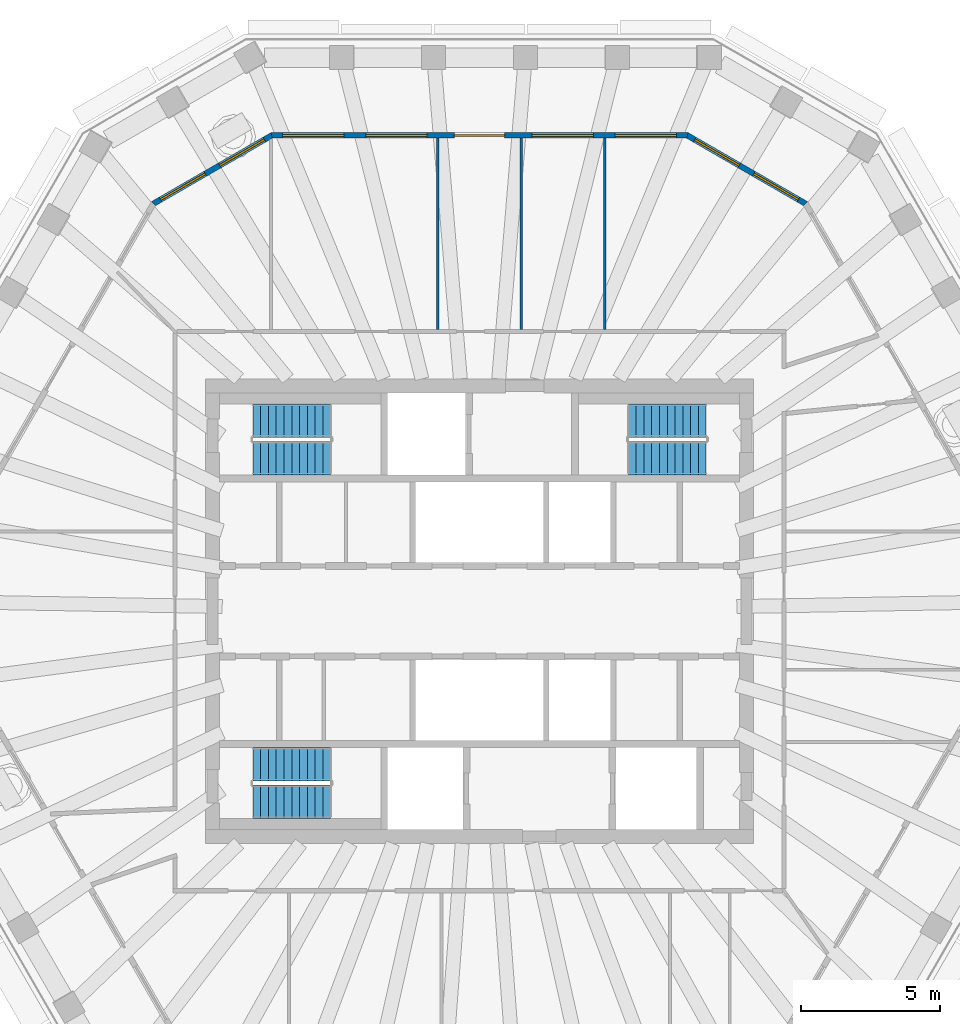
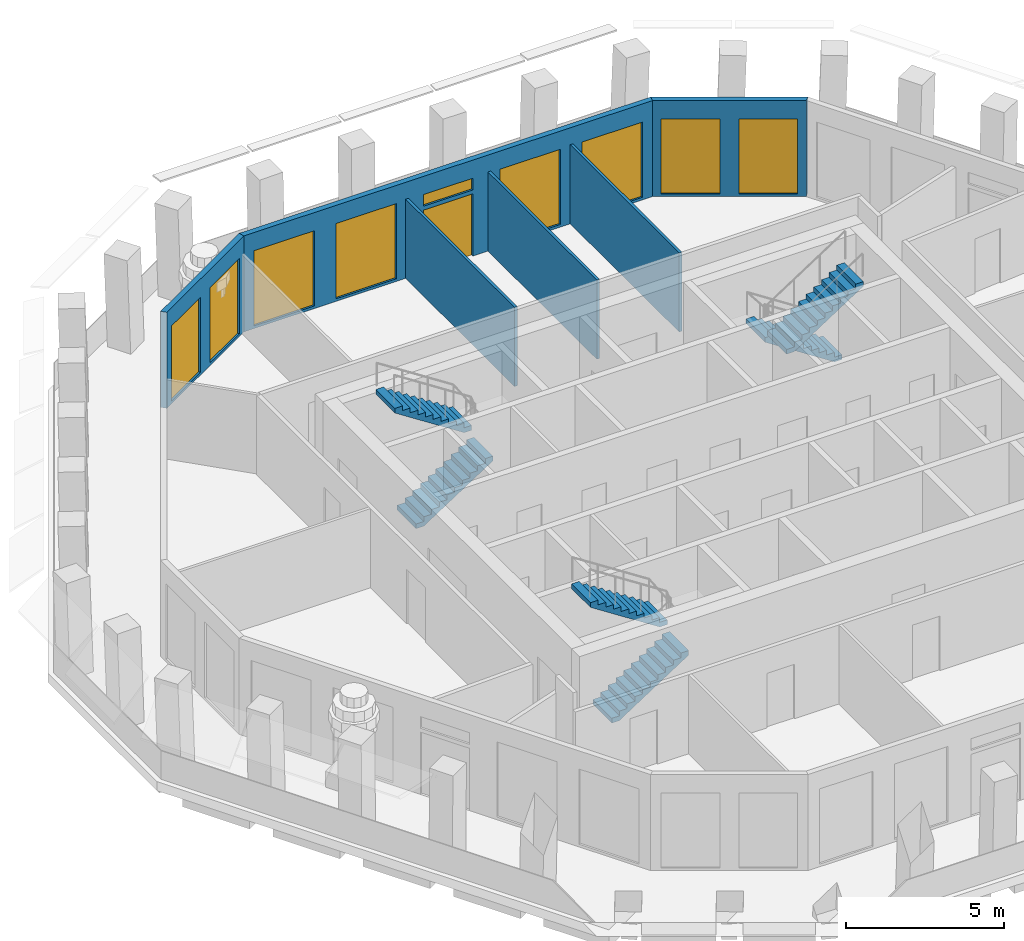
# One storey, part 7 of 11: 9 windows, 6 stair flights, 6 walls, 1 door, 10 openings, 3 elements without a shape of their own.
"""IFC4 building model written with IfcOpenShell, lengths in metres."""

import ifcopenshell
import ifcopenshell.guid

model = None  # the IFC model being written
_history = None  # IfcOwnerHistory: only IFC2X3 demands one
_inside = {}  # id of a spatial element -> (the spatial element, [elements in it])
_under = {}  # id of a project, library or spatial element -> (it, [spatial elements below it])
_declared = {}  # id of a project -> (the project, [libraries it declares])
_typed = {}  # id of a type object -> (the type object, [elements of that type])
_made_of = {}  # id of a material, layer set ... -> (it, [elements and type objects made of it])


def new_model(schema):
    """Start an empty IFC model of exactly this schema.

    Asked for "IFC4X3", IfcOpenShell would pick the latest addendum, in which some entities
    have other attributes; the version numbers below select the first issue.
    IFC2X3 requires an IfcOwnerHistory on every rooted entity: one is made here for all.
    """
    global model, _history
    if schema == "IFC4X3":
        model = ifcopenshell.file(schema_version=(4, 3, 0, 0))
    else:
        model = ifcopenshell.file(schema=schema)
    _inside.clear()
    _under.clear()
    _declared.clear()
    _typed.clear()
    _made_of.clear()
    _history = None
    if model.schema == "IFC2X3":
        org = make("IfcOrganization", Name="unknown")
        user = make(
            "IfcPersonAndOrganization",
            ThePerson=make("IfcPerson", FamilyName="unknown"),
            TheOrganization=org,
        )
        app = make(
            "IfcApplication",
            ApplicationDeveloper=org,
            Version="unknown",
            ApplicationFullName="unknown",
            ApplicationIdentifier="unknown",
        )
        _history = make(
            "IfcOwnerHistory",
            OwningUser=user,
            OwningApplication=app,
            ChangeAction="ADDED",
            CreationDate=0,
        )
    return model


def make(cls, **values):
    """One entity of the class cls with the attributes given. An attribute that is None is left unset."""
    return model.create_entity(
        cls, **{name: value for name, value in values.items() if value is not None}
    )


def rooted(cls, **values):
    """An entity with a GlobalId (a new one), such as an element, a storey or a relation."""
    return make(cls, GlobalId=ifcopenshell.guid.new(), OwnerHistory=_history, **values)


def si_unit(unit_type, name, prefix=None):
    """IfcSIUnit, for example si_unit("LENGTHUNIT", "METRE", prefix="MILLI")."""
    return make("IfcSIUnit", UnitType=unit_type, Prefix=prefix, Name=name)


def assignment(units):
    """IfcUnitAssignment: the units of a project."""
    return None if units is None else make("IfcUnitAssignment", Units=units)


def point(xyz):
    """IfcCartesianPoint."""
    return None if xyz is None else make("IfcCartesianPoint", Coordinates=xyz)


def direction(xyz):
    """IfcDirection."""
    return None if xyz is None else make("IfcDirection", DirectionRatios=xyz)


def frame(location, z_axis=None, x_axis=None):
    """IfcAxis2Placement3D, a coordinate frame: its origin and axes. An axis left out is left unset."""
    return make(
        "IfcAxis2Placement3D",
        Location=point(location),
        Axis=direction(z_axis),
        RefDirection=direction(x_axis),
    )


def frame_2d(location, x_axis=None):
    """IfcAxis2Placement2D, a coordinate frame in the plane: its origin and x axis."""
    return make(
        "IfcAxis2Placement2D", Location=point(location), RefDirection=direction(x_axis)
    )


def origin():
    """The frame at (0, 0, 0) with its axes left unset."""
    return frame((0.0, 0.0, 0.0))


def place(relative_to, where):
    """IfcLocalPlacement: puts the frame where relative to a parent placement (None: the world)."""
    return make(
        "IfcLocalPlacement", PlacementRelTo=relative_to, RelativePlacement=where
    )


def context(
    kind, dimensions, precision=None, world=None, true_north=None, identifier=None
):
    """IfcGeometricRepresentationContext, for example the 3D "Model" context."""
    return make(
        "IfcGeometricRepresentationContext",
        ContextIdentifier=identifier,
        ContextType=kind,
        CoordinateSpaceDimension=dimensions,
        Precision=precision,
        WorldCoordinateSystem=world,
        TrueNorth=true_north,
    )


def subcontext(parent, identifier, kind, view, scale=None):
    """IfcGeometricRepresentationSubContext, for example "Body" below "Model"."""
    return make(
        "IfcGeometricRepresentationSubContext",
        ContextIdentifier=identifier,
        ContextType=kind,
        ParentContext=parent,
        TargetScale=scale,
        TargetView=view,
    )


def project(units=None, contexts=None):
    """IfcProject with its units and contexts."""
    return rooted(
        "IfcProject",
        Name="project",
        RepresentationContexts=contexts,
        UnitsInContext=assignment(units),
    )


def spatial(cls, under=None, at=None, **own):
    """A site, building, storey or space (cls), placed at a placement, below another one or the project."""
    s = rooted(cls, ObjectPlacement=at, **own)
    if under is not None:
        _under.setdefault(under.id(), (under, []))[1].append(s)
    return s


def polyline(points):
    """IfcPolyline through the points."""
    return make("IfcPolyline", Points=[point(p) for p in points])


def profile(cls, at=None, kind="AREA", **sizes):
    """A parametric profile (cls). Its sizes go by their IFC names, for example OverallWidth=200.0."""
    return make(cls, ProfileType=kind, Position=at, **sizes)


def rectangle(**sizes):
    """IfcRectangleProfileDef."""
    return profile("IfcRectangleProfileDef", **sizes)


def outline(outer, holes=None, kind="AREA"):
    """IfcArbitraryClosedProfileDef: a profile drawn as a closed curve; with holes, ...WithVoids."""
    if holes is None:
        return make("IfcArbitraryClosedProfileDef", ProfileType=kind, OuterCurve=outer)
    return make(
        "IfcArbitraryProfileDefWithVoids",
        ProfileType=kind,
        OuterCurve=outer,
        InnerCurves=holes,
    )


def extrude(swept, where, along, depth):
    """IfcExtrudedAreaSolid: the profile swept, set in the frame where, extruded along a direction by depth."""
    return make(
        "IfcExtrudedAreaSolid",
        SweptArea=swept,
        Position=where,
        ExtrudedDirection=direction(along),
        Depth=depth,
    )


def shape(context_of_items, identifier, shape_type, items):
    """IfcShapeRepresentation: the items that make up one representation, for example the "Body"."""
    return make(
        "IfcShapeRepresentation",
        ContextOfItems=context_of_items,
        RepresentationIdentifier=identifier,
        RepresentationType=shape_type,
        Items=items,
    )


def material(Name=None, Category=None):
    """IfcMaterial."""
    return make("IfcMaterial", Name=Name, Category=Category)


def layer(
    of_material, thickness, ventilated=None, Name=None, Category=None, Priority=None
):
    """IfcMaterialLayer: one layer of a wall or slab, of a material (None: an air gap)."""
    return make(
        "IfcMaterialLayer",
        Material=of_material,
        LayerThickness=thickness,
        IsVentilated=ventilated,
        Name=Name,
        Category=Category,
        Priority=Priority,
    )


def layer_set(layers, Name=None):
    """IfcMaterialLayerSet."""
    return make("IfcMaterialLayerSet", MaterialLayers=layers, LayerSetName=Name)


def made_of(thing, what):
    """Note that an element or type object is made of a material, layer set ...; save() writes the relation."""
    if what is not None:
        _made_of.setdefault(what.id(), (what, []))[1].append(thing)
    return thing


def type_object(cls, material=None, **own):
    """A type object (cls), such as IfcWallType, which elements share."""
    return made_of(rooted(cls, **own), material)


def element(
    cls,
    number,
    at=None,
    inside=None,
    cuts=None,
    type_object=None,
    material=None,
    context=None,
    identifier="Body",
    shape_type=None,
    held_by="IfcProductDefinitionShape",
    body=None,
    shapes=None,
    **own,
):
    """One element of the class cls, such as IfcWall. Its Tag is "e" and its number.

    at: its placement. inside: the storey or other place that contains it. cuts: it is an
    opening in that element (IfcRelVoidsElement). A single representation is given by context,
    identifier, shape_type and body (its items); several are given by shapes. held_by: the class
    of the entity that holds the representations. save() writes the other relations.
    """
    e = rooted(cls, Tag="e%d" % number, ObjectPlacement=at, **own)
    if body is not None:
        shapes = [shape(context, identifier, shape_type, body)]
    if shapes is not None:
        e.Representation = make(held_by, Representations=shapes)
    if inside is not None:
        _inside.setdefault(inside.id(), (inside, []))[1].append(e)
    if cuts is not None:
        rooted(
            "IfcRelVoidsElement", RelatingBuildingElement=cuts, RelatedOpeningElement=e
        )
    if type_object is not None:
        _typed.setdefault(type_object.id(), (type_object, []))[1].append(e)
    return made_of(e, material)


def fill(opening, filler):
    """IfcRelFillsElement: the door or window that sits in an opening."""
    return rooted(
        "IfcRelFillsElement",
        RelatingOpeningElement=opening,
        RelatedBuildingElement=filler,
    )


def aggregate(whole, parts):
    """IfcRelAggregates: a whole, such as a stair, and the parts it consists of."""
    return rooted("IfcRelAggregates", RelatingObject=whole, RelatedObjects=parts)


def save(model, path):
    """Write the relations noted so far, then the file.

    IfcRelAggregates (storeys below a building ...), IfcRelContainedInSpatialStructure (elements
    in a storey), IfcRelDefinesByType, IfcRelAssociatesMaterial and IfcRelDeclares: one each for
    every whole, place, type object, material and project.
    """
    for whole, parts in _under.values():
        aggregate(whole, parts)
    for where, things in _inside.values():
        rooted(
            "IfcRelContainedInSpatialStructure",
            RelatedElements=things,
            RelatingStructure=where,
        )
    for kind, things in _typed.values():
        rooted("IfcRelDefinesByType", RelatedObjects=things, RelatingType=kind)
    for what, things in _made_of.values():
        rooted("IfcRelAssociatesMaterial", RelatedObjects=things, RelatingMaterial=what)
    for by, libraries in _declared.values():
        rooted("IfcRelDeclares", RelatingContext=by, RelatedDefinitions=libraries)
    model.write(path)


model = new_model("IFC4")

# Units and contexts
model_context = context("Model", 3, precision=1e-05, world=origin(), true_north=direction((0.0, 1.0)))
body_context = subcontext(model_context, "Body", "Model", "MODEL_VIEW")
ifc_project = project(units=[si_unit("LENGTHUNIT", "METRE"), si_unit("AREAUNIT", "SQUARE_METRE"), si_unit("VOLUMEUNIT", "CUBIC_METRE"), si_unit("PLANEANGLEUNIT", "RADIAN"), si_unit("MASSUNIT", "GRAM", prefix="KILO")], contexts=[model_context])

# Site, building, storey
site_placement = place(None, origin())
site = spatial("IfcSite", under=ifc_project, at=site_placement, CompositionType="ELEMENT")
building_placement = place(site_placement, origin())
building = spatial("IfcBuilding", under=site, at=building_placement, Name="Frailejon Research Tower", CompositionType="ELEMENT")
storey_placement = place(building_placement, frame((0.0, 0.0, 320.60009765625)))
storey = spatial("IfcBuildingStorey", under=building, at=storey_placement, Name="L71", CompositionType="ELEMENT", Elevation=320.60009765625)

# Walls
ifc_material_1 = material(Name="Gypsum board and masonry partition", Category="masonry")
ifc_layer_1 = layer(ifc_material_1, 0.10009765625)
ifc_layer_set_1 = layer_set([ifc_layer_1], Name="Partition, gypsum on steel studs 100")
wall_type_1 = type_object("IfcWallType", Name="Partition, gypsum on steel studs 100", PredefinedType="PARTITIONING", material=ifc_layer_set_1)
for number, where, z_axis, x_axis, name in (
    (1, (4.49951171875, 10.125, 0.0), (0.0, 0.0, 1.0), (0.0, 1.0, 0.0), "T:IW:L71:014"),
    (2, (1.499755859375, 10.125, 0.0), (0.0, 0.0, 1.0), (0.0, 1.0, 0.0), "T:IW:L71:015"),
    (3, (-1.499755859375, 10.125, 0.0), (0.0, 0.0, 1.0), (0.0, 1.0, 0.0), "T:IW:L71:016"),
):
    element("IfcWall", number, at=place(storey_placement, frame(where, z_axis=z_axis, x_axis=x_axis)), inside=storey, type_object=wall_type_1, Name=name, PredefinedType="PARTITIONING", context=body_context, shape_type="SweptSolid", body=[
        extrude(rectangle(XDim=6.875, YDim=0.10009765625, at=frame_2d((3.4375, 0.0))), origin(), (0.0, 0.0, 1.0), 3.0498046875),
    ])

# Wall, openings, windows
ifc_material_2 = material(Name="Concrete C40/50 precast window wall panel", Category="concrete")
ifc_layer_2 = layer(ifc_material_2, 0.199951171875)
ifc_layer_set_2 = layer_set([ifc_layer_2], Name="Window wall 200")
wall_type_2 = type_object("IfcWallType", Name="Window wall 200", PredefinedType="SOLIDWALL", material=ifc_layer_set_2)
wall_1_placement = place(storey_placement, frame((11.72607421875, 14.644287109375, 0.0), z_axis=(0.0, 0.0, 1.0), x_axis=(-0.866029143232, 0.499993523031, 0.0)))
wall_1 = element("IfcWall", 4, at=wall_1_placement, inside=storey, type_object=wall_type_2, Name="Exterior wall L71", PredefinedType="SOLIDWALL", context=body_context, shape_type="SweptSolid", body=[
    extrude(outline(polyline([(-0.02685546875, -0.10009765625), (1.21435546875, -0.10009765625), (2.455810546875, -0.10009765625), (3.697265625, -0.10009765625), (4.9384765625, -0.10009765625), (4.884765625, 0.10009765625), (3.67041015625, 0.10009765625), (2.455810546875, 0.10009765625), (1.2412109375, 0.10009765625), (0.02685546875, 0.10009765625), (-0.02685546875, -0.10009765625)])), origin(), (0.0, 0.0, 1.0), 3.699951171875),
])
opening_1_placement = place(wall_1_placement, frame((0.302978515625, 0.0, 0.10009765625)))
opening_1 = element("IfcOpeningElement", 5, at=opening_1_placement, cuts=wall_1, Name="Opening W26", PredefinedType="OPENING", context=body_context, shape_type="SweptSolid", body=[
    extrude(rectangle(XDim=1.85009765625, YDim=2.89990234375, at=frame_2d((0.925048828125, 1.449951171875))), frame((0.0, 0.10986328125, 0.0), z_axis=(0.0, -1.0, 0.0), x_axis=(1.0, 0.0, 0.0)), (0.0, 0.0, 1.0), 0.219970703125),
])
opening_2_placement = place(wall_1_placement, frame((2.7587890625, 0.0, 0.10009765625)))
opening_2 = element("IfcOpeningElement", 6, at=opening_2_placement, cuts=wall_1, Name="Opening W26", PredefinedType="OPENING", context=body_context, shape_type="SweptSolid", body=[
    extrude(rectangle(XDim=1.85009765625, YDim=2.89990234375, at=frame_2d((0.925048828125, 1.449951171875))), frame((0.0, 0.10986328125, 0.0), z_axis=(0.0, -1.0, 0.0), x_axis=(1.0, 0.0, 0.0)), (0.0, 0.0, 1.0), 0.219970703125),
])
ifc_material_3 = material(Name="Aluminium framed double glazing", Category="aluminium")
window_type_1 = type_object("IfcWindowType", Name="Window 1850x2900", PartitioningType="SINGLE_PANEL", PredefinedType="WINDOW", material=ifc_material_3)
window_1_placement = place(opening_1_placement, origin())
window_1 = element("IfcWindow", 7, at=window_1_placement, inside=storey, type_object=window_type_1, Name="Window L71", OverallHeight=2.89990234375, OverallWidth=1.85009765625, PartitioningType="SINGLE_PANEL", PredefinedType="WINDOW", context=body_context, shape_type="SweptSolid", body=[
    extrude(rectangle(XDim=1.85009765625, YDim=2.89990234375, at=frame_2d((0.925048828125, 1.449951171875))), frame((0.0, 0.030029296875, 0.0), z_axis=(0.0, -1.0, 0.0), x_axis=(1.0, 0.0, 0.0)), (0.0, 0.0, 1.0), 0.06005859375),
])
fill(opening_1, window_1)
window_2_placement = place(opening_2_placement, origin())
window_2 = element("IfcWindow", 8, at=window_2_placement, inside=storey, type_object=window_type_1, Name="Window L71", OverallHeight=2.89990234375, OverallWidth=1.85009765625, PartitioningType="SINGLE_PANEL", PredefinedType="WINDOW", context=body_context, shape_type="SweptSolid", body=[
    extrude(rectangle(XDim=1.85009765625, YDim=2.89990234375, at=frame_2d((0.925048828125, 1.449951171875))), frame((0.0, 0.030029296875, 0.0), z_axis=(0.0, -1.0, 0.0), x_axis=(1.0, 0.0, 0.0)), (0.0, 0.0, 1.0), 0.06005859375),
])
fill(opening_2, window_2)

# Wall, openings, door, windows
wall_2_placement = place(storey_placement, frame((7.472412109375, 17.10009765625, 0.0), z_axis=(0.0, 0.0, 1.0), x_axis=(-1.0, 0.0, 0.0)))
wall_2 = element("IfcWall", 9, at=wall_2_placement, inside=storey, type_object=wall_type_2, Name="Exterior wall L71", PredefinedType="SOLIDWALL", context=body_context, shape_type="SweptSolid", body=[
    extrude(outline(polyline([(-0.02685546875, -0.10009765625), (1.04443359375, -0.10009765625), (2.11572265625, -0.10009765625), (3.18701171875, -0.10009765625), (4.258544921875, -0.10009765625), (5.329833984375, -0.10009765625), (6.401123046875, -0.10009765625), (7.472412109375, -0.10009765625), (8.543701171875, -0.10009765625), (9.614990234375, -0.10009765625), (10.686279296875, -0.10009765625), (11.7578125, -0.10009765625), (12.8291015625, -0.10009765625), (13.900390625, -0.10009765625), (14.9716796875, -0.10009765625), (14.91796875, 0.10009765625), (13.854248046875, 0.10009765625), (12.790771484375, 0.10009765625), (11.72705078125, 0.10009765625), (10.663330078125, 0.10009765625), (9.599609375, 0.10009765625), (8.5361328125, 0.10009765625), (7.472412109375, 0.10009765625), (6.40869140625, 0.10009765625), (5.34521484375, 0.10009765625), (4.281494140625, 0.10009765625), (3.2177734375, 0.10009765625), (2.154052734375, 0.10009765625), (1.090576171875, 0.10009765625), (0.02685546875, 0.10009765625), (-0.02685546875, -0.10009765625)])), origin(), (0.0, 0.0, 1.0), 3.699951171875),
])
opening_3_placement = place(wall_2_placement, frame((0.39453125, 0.0, 0.10009765625)))
opening_3 = element("IfcOpeningElement", 10, at=opening_3_placement, cuts=wall_2, Name="Opening W28", PredefinedType="OPENING", context=body_context, shape_type="SweptSolid", body=[
    extrude(rectangle(XDim=2.199951171875, YDim=2.89990234375, at=frame_2d((1.10009765625, 1.449951171875))), frame((0.0, 0.10986328125, 0.0), z_axis=(0.0, -1.0, 0.0), x_axis=(1.0, 0.0, 0.0)), (0.0, 0.0, 1.0), 0.219970703125),
])
opening_4_placement = place(wall_2_placement, frame((3.383544921875, 0.0, 0.10009765625)))
opening_4 = element("IfcOpeningElement", 11, at=opening_4_placement, cuts=wall_2, Name="Opening W28", PredefinedType="OPENING", context=body_context, shape_type="SweptSolid", body=[
    extrude(rectangle(XDim=2.199951171875, YDim=2.89990234375, at=frame_2d((1.10009765625, 1.449951171875))), frame((0.0, 0.10986328125, 0.0), z_axis=(0.0, -1.0, 0.0), x_axis=(1.0, 0.0, 0.0)), (0.0, 0.0, 1.0), 0.219970703125),
])
opening_5_placement = place(wall_2_placement, frame((6.572509765625, 0.0, 0.0)))
opening_5 = element("IfcOpeningElement", 12, at=opening_5_placement, cuts=wall_2, Name="Opening LG71-2", PredefinedType="OPENING", context=body_context, shape_type="SweptSolid", body=[
    extrude(rectangle(XDim=1.800048828125, YDim=2.39990234375, at=frame_2d((0.89990234375, 1.199951171875))), frame((0.0, 0.10986328125, 0.0), z_axis=(0.0, -1.0, 0.0), x_axis=(1.0, 0.0, 0.0)), (0.0, 0.0, 1.0), 0.219970703125),
])
opening_6_placement = place(wall_2_placement, frame((6.572509765625, 0.0, 2.550048828125)))
opening_6 = element("IfcOpeningElement", 13, at=opening_6_placement, cuts=wall_2, Name="Opening W1", PredefinedType="OPENING", context=body_context, shape_type="SweptSolid", body=[
    extrude(rectangle(XDim=1.800048828125, YDim=0.449951171875, at=frame_2d((0.89990234375, 0.22509765625))), frame((0.0, 0.10986328125, 0.0), z_axis=(0.0, -1.0, 0.0), x_axis=(1.0, 0.0, 0.0)), (0.0, 0.0, 1.0), 0.219970703125),
])
opening_7_placement = place(wall_2_placement, frame((9.361328125, 0.0, 0.10009765625)))
opening_7 = element("IfcOpeningElement", 14, at=opening_7_placement, cuts=wall_2, Name="Opening W28", PredefinedType="OPENING", context=body_context, shape_type="SweptSolid", body=[
    extrude(rectangle(XDim=2.199951171875, YDim=2.89990234375, at=frame_2d((1.10009765625, 1.449951171875))), frame((0.0, 0.10986328125, 0.0), z_axis=(0.0, -1.0, 0.0), x_axis=(1.0, 0.0, 0.0)), (0.0, 0.0, 1.0), 0.219970703125),
])
opening_8_placement = place(wall_2_placement, frame((12.350341796875, 0.0, 0.10009765625)))
opening_8 = element("IfcOpeningElement", 15, at=opening_8_placement, cuts=wall_2, Name="Opening W28", PredefinedType="OPENING", context=body_context, shape_type="SweptSolid", body=[
    extrude(rectangle(XDim=2.199951171875, YDim=2.89990234375, at=frame_2d((1.10009765625, 1.449951171875))), frame((0.0, 0.10986328125, 0.0), z_axis=(0.0, -1.0, 0.0), x_axis=(1.0, 0.0, 0.0)), (0.0, 0.0, 1.0), 0.219970703125),
])
ifc_material_4 = material(Name="Aluminium framed glazed door leaf", Category="aluminium")
door_type = type_object("IfcDoorType", Name="Loggia door 1800x2400", OperationType="DOUBLE_DOOR_SINGLE_SWING", PredefinedType="DOOR", material=ifc_material_4)
door_placement = place(opening_5_placement, origin())
door = element("IfcDoor", 16, at=door_placement, inside=storey, type_object=door_type, Name="Door LG71-2", OperationType="DOUBLE_DOOR_SINGLE_SWING", OverallHeight=2.39990234375, OverallWidth=1.800048828125, PredefinedType="DOOR", context=body_context, shape_type="SweptSolid", body=[
    extrude(rectangle(XDim=1.800048828125, YDim=2.39990234375, at=frame_2d((0.89990234375, 1.199951171875))), frame((0.0, 0.02490234375, 0.0), z_axis=(0.0, -1.0, 0.0), x_axis=(1.0, 0.0, 0.0)), (0.0, 0.0, 1.0), 0.050048828125),
])
fill(opening_5, door)
ifc_material_5 = material(Name="Aluminium framed double glazing", Category="aluminium")
window_type_2 = type_object("IfcWindowType", Name="Window 1800x450", PartitioningType="SINGLE_PANEL", PredefinedType="WINDOW", material=ifc_material_5)
window_3_placement = place(opening_6_placement, origin())
window_3 = element("IfcWindow", 17, at=window_3_placement, inside=storey, type_object=window_type_2, Name="Window L71", OverallHeight=0.449951171875, OverallWidth=1.800048828125, PartitioningType="SINGLE_PANEL", PredefinedType="WINDOW", context=body_context, shape_type="SweptSolid", body=[
    extrude(rectangle(XDim=1.800048828125, YDim=0.449951171875, at=frame_2d((0.89990234375, 0.22509765625))), frame((0.0, 0.030029296875, 0.0), z_axis=(0.0, -1.0, 0.0), x_axis=(1.0, 0.0, 0.0)), (0.0, 0.0, 1.0), 0.06005859375),
])
fill(opening_6, window_3)
ifc_material_6 = material(Name="Aluminium framed double glazing", Category="aluminium")
window_type_3 = type_object("IfcWindowType", Name="Window 2200x2900", PartitioningType="SINGLE_PANEL", PredefinedType="WINDOW", material=ifc_material_6)
window_4_placement = place(opening_3_placement, origin())
window_4 = element("IfcWindow", 18, at=window_4_placement, inside=storey, type_object=window_type_3, Name="Window L71", OverallHeight=2.89990234375, OverallWidth=2.199951171875, PartitioningType="SINGLE_PANEL", PredefinedType="WINDOW", context=body_context, shape_type="SweptSolid", body=[
    extrude(rectangle(XDim=2.199951171875, YDim=2.89990234375, at=frame_2d((1.10009765625, 1.449951171875))), frame((0.0, 0.030029296875, 0.0), z_axis=(0.0, -1.0, 0.0), x_axis=(1.0, 0.0, 0.0)), (0.0, 0.0, 1.0), 0.06005859375),
])
fill(opening_3, window_4)
window_5_placement = place(opening_4_placement, origin())
window_5 = element("IfcWindow", 19, at=window_5_placement, inside=storey, type_object=window_type_3, Name="Window L71", OverallHeight=2.89990234375, OverallWidth=2.199951171875, PartitioningType="SINGLE_PANEL", PredefinedType="WINDOW", context=body_context, shape_type="SweptSolid", body=[
    extrude(rectangle(XDim=2.199951171875, YDim=2.89990234375, at=frame_2d((1.10009765625, 1.449951171875))), frame((0.0, 0.030029296875, 0.0), z_axis=(0.0, -1.0, 0.0), x_axis=(1.0, 0.0, 0.0)), (0.0, 0.0, 1.0), 0.06005859375),
])
fill(opening_4, window_5)
window_6_placement = place(opening_7_placement, origin())
window_6 = element("IfcWindow", 20, at=window_6_placement, inside=storey, type_object=window_type_3, Name="Window L71", OverallHeight=2.89990234375, OverallWidth=2.199951171875, PartitioningType="SINGLE_PANEL", PredefinedType="WINDOW", context=body_context, shape_type="SweptSolid", body=[
    extrude(rectangle(XDim=2.199951171875, YDim=2.89990234375, at=frame_2d((1.10009765625, 1.449951171875))), frame((0.0, 0.030029296875, 0.0), z_axis=(0.0, -1.0, 0.0), x_axis=(1.0, 0.0, 0.0)), (0.0, 0.0, 1.0), 0.06005859375),
])
fill(opening_7, window_6)
window_7_placement = place(opening_8_placement, origin())
window_7 = element("IfcWindow", 21, at=window_7_placement, inside=storey, type_object=window_type_3, Name="Window L71", OverallHeight=2.89990234375, OverallWidth=2.199951171875, PartitioningType="SINGLE_PANEL", PredefinedType="WINDOW", context=body_context, shape_type="SweptSolid", body=[
    extrude(rectangle(XDim=2.199951171875, YDim=2.89990234375, at=frame_2d((1.10009765625, 1.449951171875))), frame((0.0, 0.030029296875, 0.0), z_axis=(0.0, -1.0, 0.0), x_axis=(1.0, 0.0, 0.0)), (0.0, 0.0, 1.0), 0.06005859375),
])
fill(opening_8, window_7)

# Wall, openings, windows
wall_3_placement = place(storey_placement, frame((-7.472412109375, 17.10009765625, 0.0), z_axis=(0.0, 0.0, 1.0), x_axis=(-0.866029143232, -0.499993523031, 0.0)))
wall_3 = element("IfcWall", 22, at=wall_3_placement, inside=storey, type_object=wall_type_2, Name="Exterior wall L71", PredefinedType="SOLIDWALL", context=body_context, shape_type="SweptSolid", body=[
    extrude(outline(polyline([(-0.02685546875, -0.10009765625), (1.21435546875, -0.10009765625), (2.455810546875, -0.10009765625), (3.697265625, -0.10009765625), (4.9384765625, -0.10009765625), (4.884765625, 0.10009765625), (3.67041015625, 0.10009765625), (2.455810546875, 0.10009765625), (1.2412109375, 0.10009765625), (0.02685546875, 0.10009765625), (-0.02685546875, -0.10009765625)])), origin(), (0.0, 0.0, 1.0), 3.699951171875),
])
opening_9_placement = place(wall_3_placement, frame((0.302978515625, 0.0, 0.10009765625)))
opening_9 = element("IfcOpeningElement", 23, at=opening_9_placement, cuts=wall_3, Name="Opening W26", PredefinedType="OPENING", context=body_context, shape_type="SweptSolid", body=[
    extrude(rectangle(XDim=1.85009765625, YDim=2.89990234375, at=frame_2d((0.925048828125, 1.449951171875))), frame((0.0, 0.10986328125, 0.0), z_axis=(0.0, -1.0, 0.0), x_axis=(1.0, 0.0, 0.0)), (0.0, 0.0, 1.0), 0.219970703125),
])
opening_10_placement = place(wall_3_placement, frame((2.7587890625, 0.0, 0.10009765625)))
opening_10 = element("IfcOpeningElement", 24, at=opening_10_placement, cuts=wall_3, Name="Opening W26", PredefinedType="OPENING", context=body_context, shape_type="SweptSolid", body=[
    extrude(rectangle(XDim=1.85009765625, YDim=2.89990234375, at=frame_2d((0.925048828125, 1.449951171875))), frame((0.0, 0.10986328125, 0.0), z_axis=(0.0, -1.0, 0.0), x_axis=(1.0, 0.0, 0.0)), (0.0, 0.0, 1.0), 0.219970703125),
])
window_8_placement = place(opening_9_placement, origin())
window_8 = element("IfcWindow", 25, at=window_8_placement, inside=storey, type_object=window_type_1, Name="Window L71", OverallHeight=2.89990234375, OverallWidth=1.85009765625, PartitioningType="SINGLE_PANEL", PredefinedType="WINDOW", context=body_context, shape_type="SweptSolid", body=[
    extrude(rectangle(XDim=1.85009765625, YDim=2.89990234375, at=frame_2d((0.925048828125, 1.449951171875))), frame((0.0, 0.030029296875, 0.0), z_axis=(0.0, -1.0, 0.0), x_axis=(1.0, 0.0, 0.0)), (0.0, 0.0, 1.0), 0.06005859375),
])
fill(opening_9, window_8)
window_9_placement = place(opening_10_placement, origin())
window_9 = element("IfcWindow", 26, at=window_9_placement, inside=storey, type_object=window_type_1, Name="Window L71", OverallHeight=2.89990234375, OverallWidth=1.85009765625, PartitioningType="SINGLE_PANEL", PredefinedType="WINDOW", context=body_context, shape_type="SweptSolid", body=[
    extrude(rectangle(XDim=1.85009765625, YDim=2.89990234375, at=frame_2d((0.925048828125, 1.449951171875))), frame((0.0, 0.030029296875, 0.0), z_axis=(0.0, -1.0, 0.0), x_axis=(1.0, 0.0, 0.0)), (0.0, 0.0, 1.0), 0.06005859375),
])
fill(opening_10, window_9)

# Stair, stair flights
ifc_material_7 = material(Name="Concrete C50/60", Category="concrete")
stair_type = type_object("IfcStairType", Name="Exit stair 22 risers", PredefinedType="HALF_TURN_STAIR", material=ifc_material_7)
stair_1_placement = place(storey_placement, origin())
stair_1 = element("IfcStair", 27, at=stair_1_placement, inside=storey, type_object=stair_type, Name="L71 Exit stair ST1", PredefinedType="HALF_TURN_STAIR")
ifc_material_8 = material(Name="Concrete C50/60", Category="concrete")
ifc_layer_3 = layer(ifc_material_8, 0.14990234375)
ifc_layer_set_3 = layer_set([ifc_layer_3], Name="Stair flight 11 risers")
stair_flight_type = type_object("IfcStairFlightType", Name="Stair flight 11 risers", PredefinedType="STRAIGHT", material=ifc_layer_set_3)
stair_flight_1_placement = place(storey_placement, frame((-8.14990234375, 5.5, 0.0), z_axis=(0.0, 0.0, 1.0), x_axis=(1.0, 0.0, 0.0)))
stair_flight_1 = element("IfcStairFlight", 28, at=stair_flight_1_placement, type_object=stair_flight_type, Name="ST1 flight 1", NumberOfRisers=11, NumberOfTreads=10, PredefinedType="STRAIGHT", RiserHeight=0.181818182, TreadLength=0.28, context=body_context, shape_type="SweptSolid", body=[
    extrude(outline(polyline([(0.0, 0.0), (0.0, 0.181884765625), (0.280029296875, 0.181884765625), (0.280029296875, 0.363525390625), (0.56005859375, 0.363525390625), (0.56005859375, 0.54541015625), (0.840087890625, 0.54541015625), (0.840087890625, 0.727294921875), (1.1201171875, 0.727294921875), (1.1201171875, 0.9091796875), (1.39990234375, 0.9091796875), (1.39990234375, 1.0908203125), (1.679931640625, 1.0908203125), (1.679931640625, 1.272705078125), (1.9599609375, 1.272705078125), (1.9599609375, 1.45458984375), (2.239990234375, 1.45458984375), (2.239990234375, 1.636474609375), (2.52001953125, 1.636474609375), (2.52001953125, 1.818115234375), (2.800048828125, 1.818115234375), (2.800048828125, 2.0), (2.800048828125, 1.639404296875), (0.275146484375, 0.0), (0.0, 0.0)])), frame((0.0, 0.60009765625, 0.0), z_axis=(0.0, -1.0, 0.0), x_axis=(1.0, 0.0, 0.0)), (0.0, 0.0, 1.0), 1.199951171875),
])
stair_flight_2_placement = place(storey_placement, frame((-5.35009765625, 6.85009765625, 2.0), z_axis=(0.0, 0.0, 1.0), x_axis=(-1.0, 0.0, 0.0)))
stair_flight_2 = element("IfcStairFlight", 29, at=stair_flight_2_placement, type_object=stair_flight_type, Name="ST1 flight 2", NumberOfRisers=11, NumberOfTreads=10, PredefinedType="STRAIGHT", RiserHeight=0.181818182, TreadLength=0.28, context=body_context, shape_type="SweptSolid", body=[
    extrude(outline(polyline([(0.0, 0.0), (0.0, 0.181884765625), (0.280029296875, 0.181884765625), (0.280029296875, 0.363525390625), (0.56005859375, 0.363525390625), (0.56005859375, 0.54541015625), (0.840087890625, 0.54541015625), (0.840087890625, 0.727294921875), (1.1201171875, 0.727294921875), (1.1201171875, 0.9091796875), (1.39990234375, 0.9091796875), (1.39990234375, 1.0908203125), (1.679931640625, 1.0908203125), (1.679931640625, 1.272705078125), (1.9599609375, 1.272705078125), (1.9599609375, 1.45458984375), (2.239990234375, 1.45458984375), (2.239990234375, 1.636474609375), (2.52001953125, 1.636474609375), (2.52001953125, 1.818115234375), (2.800048828125, 1.818115234375), (2.800048828125, 2.0), (2.800048828125, 1.639404296875), (0.275146484375, 0.0), (0.0, 0.0)])), frame((0.0, 0.60009765625, 0.0), z_axis=(0.0, -1.0, 0.0), x_axis=(1.0, 0.0, 0.0)), (0.0, 0.0, 1.0), 1.199951171875),
])
aggregate(stair_1, [stair_flight_1, stair_flight_2])

stair_2_placement = place(storey_placement, origin())
stair_2 = element("IfcStair", 30, at=stair_2_placement, inside=storey, type_object=stair_type, Name="L71 Exit stair ST2", PredefinedType="HALF_TURN_STAIR")
stair_flight_3_placement = place(storey_placement, frame((-8.14990234375, -6.85009765625, 0.0), z_axis=(0.0, 0.0, 1.0), x_axis=(1.0, 0.0, 0.0)))
stair_flight_3 = element("IfcStairFlight", 31, at=stair_flight_3_placement, type_object=stair_flight_type, Name="ST2 flight 1", NumberOfRisers=11, NumberOfTreads=10, PredefinedType="STRAIGHT", RiserHeight=0.181818182, TreadLength=0.28, context=body_context, shape_type="SweptSolid", body=[
    extrude(outline(polyline([(0.0, 0.0), (0.0, 0.181884765625), (0.280029296875, 0.181884765625), (0.280029296875, 0.363525390625), (0.56005859375, 0.363525390625), (0.56005859375, 0.54541015625), (0.840087890625, 0.54541015625), (0.840087890625, 0.727294921875), (1.1201171875, 0.727294921875), (1.1201171875, 0.9091796875), (1.39990234375, 0.9091796875), (1.39990234375, 1.0908203125), (1.679931640625, 1.0908203125), (1.679931640625, 1.272705078125), (1.9599609375, 1.272705078125), (1.9599609375, 1.45458984375), (2.239990234375, 1.45458984375), (2.239990234375, 1.636474609375), (2.52001953125, 1.636474609375), (2.52001953125, 1.818115234375), (2.800048828125, 1.818115234375), (2.800048828125, 2.0), (2.800048828125, 1.639404296875), (0.275146484375, 0.0), (0.0, 0.0)])), frame((0.0, 0.60009765625, 0.0), z_axis=(0.0, -1.0, 0.0), x_axis=(1.0, 0.0, 0.0)), (0.0, 0.0, 1.0), 1.199951171875),
])
stair_flight_4_placement = place(storey_placement, frame((-5.35009765625, -5.5, 2.0), z_axis=(0.0, 0.0, 1.0), x_axis=(-1.0, 0.0, 0.0)))
stair_flight_4 = element("IfcStairFlight", 32, at=stair_flight_4_placement, type_object=stair_flight_type, Name="ST2 flight 2", NumberOfRisers=11, NumberOfTreads=10, PredefinedType="STRAIGHT", RiserHeight=0.181818182, TreadLength=0.28, context=body_context, shape_type="SweptSolid", body=[
    extrude(outline(polyline([(0.0, 0.0), (0.0, 0.181884765625), (0.280029296875, 0.181884765625), (0.280029296875, 0.363525390625), (0.56005859375, 0.363525390625), (0.56005859375, 0.54541015625), (0.840087890625, 0.54541015625), (0.840087890625, 0.727294921875), (1.1201171875, 0.727294921875), (1.1201171875, 0.9091796875), (1.39990234375, 0.9091796875), (1.39990234375, 1.0908203125), (1.679931640625, 1.0908203125), (1.679931640625, 1.272705078125), (1.9599609375, 1.272705078125), (1.9599609375, 1.45458984375), (2.239990234375, 1.45458984375), (2.239990234375, 1.636474609375), (2.52001953125, 1.636474609375), (2.52001953125, 1.818115234375), (2.800048828125, 1.818115234375), (2.800048828125, 2.0), (2.800048828125, 1.639404296875), (0.275146484375, 0.0), (0.0, 0.0)])), frame((0.0, 0.60009765625, 0.0), z_axis=(0.0, -1.0, 0.0), x_axis=(1.0, 0.0, 0.0)), (0.0, 0.0, 1.0), 1.199951171875),
])
aggregate(stair_2, [stair_flight_3, stair_flight_4])

stair_3_placement = place(storey_placement, origin())
stair_3 = element("IfcStair", 33, at=stair_3_placement, inside=storey, type_object=stair_type, Name="L71 Exit stair ST3", PredefinedType="HALF_TURN_STAIR")
stair_flight_5_placement = place(storey_placement, frame((8.14990234375, 6.85009765625, 0.0), z_axis=(0.0, 0.0, 1.0), x_axis=(-1.0, 0.0, 0.0)))
stair_flight_5 = element("IfcStairFlight", 34, at=stair_flight_5_placement, type_object=stair_flight_type, Name="ST3 flight 1", NumberOfRisers=11, NumberOfTreads=10, PredefinedType="STRAIGHT", RiserHeight=0.181818182, TreadLength=0.28, context=body_context, shape_type="SweptSolid", body=[
    extrude(outline(polyline([(0.0, 0.0), (0.0, 0.181884765625), (0.280029296875, 0.181884765625), (0.280029296875, 0.363525390625), (0.56005859375, 0.363525390625), (0.56005859375, 0.54541015625), (0.840087890625, 0.54541015625), (0.840087890625, 0.727294921875), (1.1201171875, 0.727294921875), (1.1201171875, 0.9091796875), (1.39990234375, 0.9091796875), (1.39990234375, 1.0908203125), (1.679931640625, 1.0908203125), (1.679931640625, 1.272705078125), (1.9599609375, 1.272705078125), (1.9599609375, 1.45458984375), (2.239990234375, 1.45458984375), (2.239990234375, 1.636474609375), (2.52001953125, 1.636474609375), (2.52001953125, 1.818115234375), (2.800048828125, 1.818115234375), (2.800048828125, 2.0), (2.800048828125, 1.639404296875), (0.275146484375, 0.0), (0.0, 0.0)])), frame((0.0, 0.60009765625, 0.0), z_axis=(0.0, -1.0, 0.0), x_axis=(1.0, 0.0, 0.0)), (0.0, 0.0, 1.0), 1.199951171875),
])
stair_flight_6_placement = place(storey_placement, frame((5.35009765625, 5.5, 2.0), z_axis=(0.0, 0.0, 1.0), x_axis=(1.0, 0.0, 0.0)))
stair_flight_6 = element("IfcStairFlight", 35, at=stair_flight_6_placement, type_object=stair_flight_type, Name="ST3 flight 2", NumberOfRisers=11, NumberOfTreads=10, PredefinedType="STRAIGHT", RiserHeight=0.181818182, TreadLength=0.28, context=body_context, shape_type="SweptSolid", body=[
    extrude(outline(polyline([(0.0, 0.0), (0.0, 0.181884765625), (0.280029296875, 0.181884765625), (0.280029296875, 0.363525390625), (0.56005859375, 0.363525390625), (0.56005859375, 0.54541015625), (0.840087890625, 0.54541015625), (0.840087890625, 0.727294921875), (1.1201171875, 0.727294921875), (1.1201171875, 0.9091796875), (1.39990234375, 0.9091796875), (1.39990234375, 1.0908203125), (1.679931640625, 1.0908203125), (1.679931640625, 1.272705078125), (1.9599609375, 1.272705078125), (1.9599609375, 1.45458984375), (2.239990234375, 1.45458984375), (2.239990234375, 1.636474609375), (2.52001953125, 1.636474609375), (2.52001953125, 1.818115234375), (2.800048828125, 1.818115234375), (2.800048828125, 2.0), (2.800048828125, 1.639404296875), (0.275146484375, 0.0), (0.0, 0.0)])), frame((0.0, 0.60009765625, 0.0), z_axis=(0.0, -1.0, 0.0), x_axis=(1.0, 0.0, 0.0)), (0.0, 0.0, 1.0), 1.199951171875),
])
aggregate(stair_3, [stair_flight_5, stair_flight_6])

save(model, "model.ifc")
